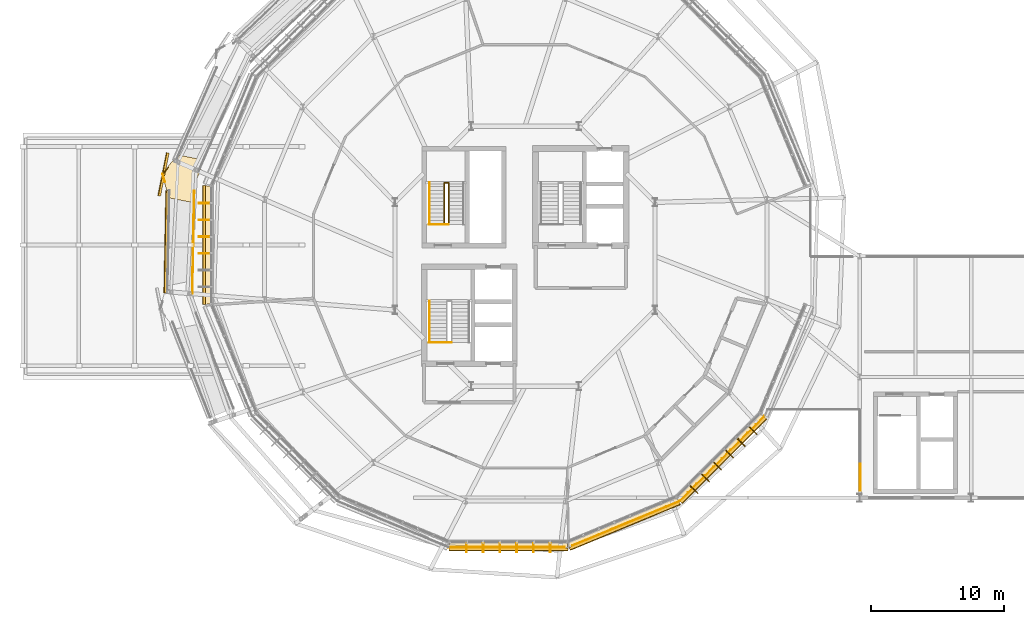
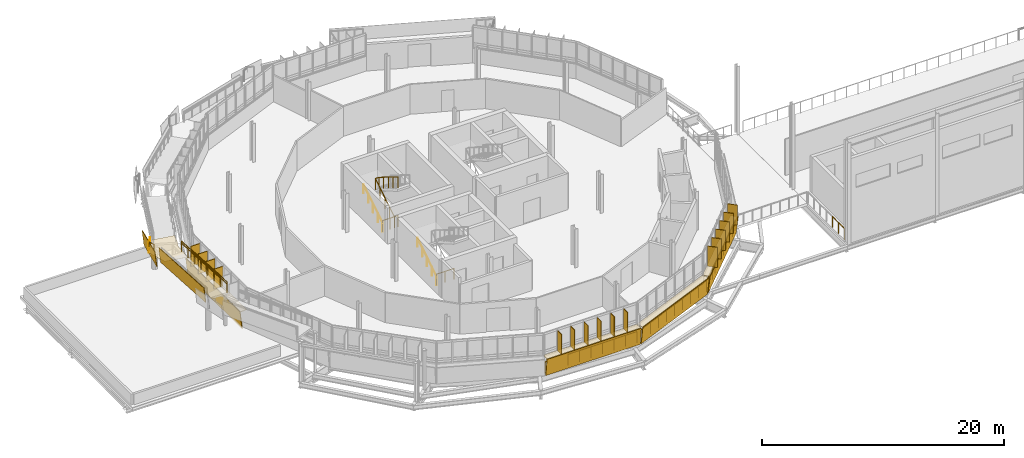
# One storey, part 55 of 61: 23 railings, 16 shading devices, 11 coverings.
"""IFC4 building model written with IfcOpenShell, lengths in metres."""

from ifc_helpers import new_model, si_unit, derived_unit, direction, frame, origin, origin_2d, place, context, subcontext, project, spatial, polyline, rectangle, circle, outline, extrude, material, layer, layer_set, type_object, element, save


model = new_model("IFC4")

# Units and contexts
model_context = context("Model", 3, precision=1e-05, world=origin(), true_north=direction((0.0, 1.0)))
body_context = subcontext(model_context, "Body", "Model", "MODEL_VIEW")
ifc_project = project(units=[si_unit("LENGTHUNIT", "METRE"), si_unit("AREAUNIT", "SQUARE_METRE"), si_unit("VOLUMEUNIT", "CUBIC_METRE"), si_unit("PLANEANGLEUNIT", "RADIAN"), si_unit("MASSUNIT", "GRAM", prefix="KILO"), derived_unit("THERMALTRANSMITTANCEUNIT", [(si_unit("MASSUNIT", "GRAM", prefix="KILO"), 1), (si_unit("TIMEUNIT", "SECOND"), -3), (si_unit("THERMODYNAMICTEMPERATUREUNIT", "KELVIN"), -1)])], contexts=[model_context])

# Site, building, storey
site_placement = place(None, origin())
site = spatial("IfcSite", under=ifc_project, at=site_placement, CompositionType="ELEMENT")
building_placement = place(site_placement, origin())
building = spatial("IfcBuilding", under=site, at=building_placement, Name="Makaiwela Harbour Ferry Terminal", CompositionType="ELEMENT")
storey_placement = place(building_placement, frame((0.0, 0.0, 13.800048828125)))
storey = spatial("IfcBuildingStorey", under=building, at=storey_placement, Name="L03", CompositionType="ELEMENT", Elevation=13.800048828125)

# Coverings
ifc_material_1 = material(Name="White glazed marine ceramic rainscreen tile", Category="masonry")
ifc_layer_1 = layer(ifc_material_1, 0.054931640625)
ifc_layer_set_1 = layer_set([ifc_layer_1], Name="White glazed marine ceramic rainscreen tile")
covering_type_1 = type_object("IfcCoveringType", Name="ENV-CLD-CERAMIC", PredefinedType="CLADDING", material=ifc_layer_set_1)
covering_1_placement = place(storey_placement, frame((13.748779296875, 72.935791015625, -0.219970703125), z_axis=(0.994019050726, 0.0, 0.109206807453), x_axis=(0.0, -1.0, 0.0)))
element("IfcCovering", 1, at=covering_1_placement, inside=storey, type_object=covering_type_1, Name="Ceramic Spandrel Facet CLD-0079", PredefinedType="CLADDING", context=body_context, shape_type="SweptSolid", body=[
    extrude(outline(polyline([(0.0, 0.0), (8.99169921875, 0.0), (8.99169921875, -1.7504596447165148), (0.0, -1.7504596447165148), (0.0, 0.0)])), origin(), (0.0, 0.0, -1.0), 0.054931640625),
])
covering_2_placement = place(storey_placement, frame((0.0, 0.0, 1.47998046875)))
element("IfcCovering", 2, at=covering_2_placement, inside=storey, type_object=covering_type_1, Name="Ceramic Ring Sill Cap CLD-0080", PredefinedType="CLADDING", context=body_context, shape_type="SweptSolid", body=[
    extrude(outline(polyline([(13.5576171875, 72.935791015625), (13.5576171875, 63.944091796875), (14.18798828125, 64.02197265625), (14.18798828125, 72.858154296875), (13.5576171875, 72.935791015625)])), origin(), (0.0, 0.0, 1.0), 0.054931640625),
])
covering_3_placement = place(storey_placement, frame((32.05419921875, 45.638671875, -0.219970703125), z_axis=(0.0, 0.99403418163, 0.109068995375), x_axis=(1.0, 0.0, 0.0)))
element("IfcCovering", 3, at=covering_3_placement, inside=storey, type_object=covering_type_1, Name="Ceramic Spandrel Facet CLD-0087", PredefinedType="CLADDING", context=body_context, shape_type="SweptSolid", body=[
    extrude(outline(polyline([(0.0, 0.0), (8.99169921875, 0.0), (8.99169921875, -1.7504329997209243), (0.0, -1.7504329997209243), (0.0, 0.0)])), origin(), (0.0, 0.0, -1.0), 0.054931640625),
])
covering_4_placement = place(storey_placement, frame((0.0, 0.0, 1.47998046875)))
element("IfcCovering", 4, at=covering_4_placement, inside=storey, type_object=covering_type_1, Name="Ceramic Ring Sill Cap CLD-0088", PredefinedType="CLADDING", context=body_context, shape_type="SweptSolid", body=[
    extrude(outline(polyline([(32.05419921875, 45.44775390625), (41.0458984375, 45.44775390625), (40.968017578125, 46.078125), (32.1318359375, 46.078125), (32.05419921875, 45.44775390625)])), origin(), (0.0, 0.0, 1.0), 0.054931640625),
])
covering_5_placement = place(storey_placement, frame((41.1220703125, 45.65380859375, -0.219970703125), z_axis=(-0.380405778211, 0.918363703026, 0.109085071701), x_axis=(0.92387704875, 0.38268942864, 7.96688e-07)))
element("IfcCovering", 5, at=covering_5_placement, inside=storey, type_object=covering_type_1, Name="Ceramic Spandrel Facet CLD-0089", PredefinedType="CLADDING", context=body_context, shape_type="SweptSolid", body=[
    extrude(outline(polyline([(0.0, 0.0), (8.991568668948071, -5.551115123125783e-17), (8.991780345008102, -1.7504288995209478), (-0.00010730989636249906, -1.750443312735073), (0.0, 0.0)])), origin(), (0.0, 0.0, -1.0), 0.054931640625),
])
covering_6_placement = place(storey_placement, frame((0.0, 0.0, 1.47998046875)))
element("IfcCovering", 6, at=covering_6_placement, inside=storey, type_object=covering_type_1, Name="Ceramic Ring Sill Cap CLD-0090", PredefinedType="CLADDING", context=body_context, shape_type="SweptSolid", body=[
    extrude(outline(polyline([(41.195068359375, 45.477294921875), (49.50244140625, 48.91845703125), (49.189208984375, 49.470947265625), (41.02587890625, 46.089599609375), (41.195068359375, 45.477294921875)])), origin(), (0.0, 0.0, 1.0), 0.054931640625),
])
covering_7_placement = place(storey_placement, frame((49.493896484375, 49.137939453125, -0.219970703125), z_axis=(-0.702887667914, 0.702887667914, 0.109077278057), x_axis=(0.707106781187, 0.707106781187, 0.0)))
element("IfcCovering", 7, at=covering_7_placement, inside=storey, type_object=covering_type_1, Name="Ceramic Spandrel Facet CLD-0091", PredefinedType="CLADDING", context=body_context, shape_type="SweptSolid", body=[
    extrude(outline(polyline([(0.0, 0.0), (8.991788038301396, 0.0), (8.991788038301396, -1.7504346001346647), (0.0, -1.7504346001346647), (0.0, 0.0)])), origin(), (0.0, 0.0, -1.0), 0.054931640625),
])
covering_8_placement = place(storey_placement, frame((0.0, 0.0, 1.47998046875)))
element("IfcCovering", 8, at=covering_8_placement, inside=storey, type_object=covering_type_1, Name="Ceramic Ring Sill Cap CLD-0092", PredefinedType="CLADDING", context=body_context, shape_type="SweptSolid", body=[
    extrude(outline(polyline([(49.62890625, 49.0029296875), (55.987060546875, 55.361083984375), (55.486328125, 55.751708984375), (49.23828125, 49.503662109375), (49.62890625, 49.0029296875)])), origin(), (0.0, 0.0, 1.0), 0.054931640625),
])
covering_9_placement = place(storey_placement, frame((10.991943359375, 75.35986328125, 2.260009765625), z_axis=(0.974848077551, -0.193910717395, 0.109862911737), x_axis=(-0.195091656081, -0.98078501504, 0.0)))
element("IfcCovering", 9, at=covering_9_placement, inside=storey, type_object=covering_type_1, Name="Coiled Ramp Ceramic Fascia CLD-R0057", PredefinedType="CLADDING", context=body_context, shape_type="SweptSolid", body=[
    extrude(outline(polyline([(0.0, 0.0), (3.299981357781899, 1.3877787807814457e-17), (3.300045243484791, -1.52927662591745), (6.388570289143913e-05, -1.52927662591745), (0.0, 0.0)])), origin(), (0.0, 0.0, -1.0), 0.054931640625),
])
covering_10_placement = place(storey_placement, frame((10.947021484375, 72.5537109375, 2.260009765625), z_axis=(0.993893996439, -0.009501727797, 0.109929254579), x_axis=(-0.018808217481, -0.996293753098, 0.083934548866)))
element("IfcCovering", 10, at=covering_10_placement, inside=storey, type_object=covering_type_1, Name="Coiled Ramp Ceramic Fascia CLD-R0058", PredefinedType="CLADDING", context=body_context, shape_type="SweptSolid", body=[
    extrude(outline(polyline([(0.0, 0.0), (7.742806929524783, 0.0), (7.870390802643789, -1.5239709202406275), (0.12757928126903598, -1.5239443762205143), (0.0, 0.0)])), origin(), (0.0, 0.0, -1.0), 0.054931640625),
])

# Shading devices
ifc_material_2 = material(Name="Marine anodised aluminium 6063-T6", Category="aluminium")
ifc_layer_2 = layer(ifc_material_2, 0.054931640625)
ifc_layer_set_2 = layer_set([ifc_layer_2], Name="Marine anodised aluminium 6063-T6")
shading_device_type_1 = type_object("IfcShadingDeviceType", Name="ENV-FIN-650", PredefinedType="USERDEFINED", material=ifc_layer_set_2)
for number, where, z_axis, x_axis, name in (
    (11, (33.394287109375, 45.64013671875, 1.603515625), (0.0, 0.0, 1.0), (0.0, -1.0, 0.0), "Vertical Solar Fin SFN-0096"),
    (12, (34.656494140625, 45.64013671875, 1.603515625), (0.0, 0.0, 1.0), (0.0, -1.0, 0.0), "Vertical Solar Fin SFN-0097"),
    (13, (35.918701171875, 45.64013671875, 1.603515625), (0.0, 0.0, 1.0), (0.0, -1.0, 0.0), "Vertical Solar Fin SFN-0098"),
    (14, (37.18115234375, 45.64013671875, 1.603515625), (0.0, 0.0, 1.0), (0.0, -1.0, 0.0), "Vertical Solar Fin SFN-0099"),
    (15, (38.443603515625, 45.64013671875, 1.603515625), (0.0, 0.0, 1.0), (0.0, -1.0, 0.0), "Vertical Solar Fin SFN-0100"),
    (16, (39.705810546875, 45.64013671875, 1.603515625), (0.0, 0.0, 1.0), (0.0, -1.0, 0.0), "Vertical Solar Fin SFN-0101"),
):
    element("IfcShadingDevice", number, at=place(storey_placement, frame(where, z_axis=z_axis, x_axis=x_axis)), inside=storey, type_object=shading_device_type_1, Name=name, ObjectType="SOLAR FIN", PredefinedType="USERDEFINED", context=body_context, shape_type="SweptSolid", body=[
        extrude(rectangle(XDim=0.64990234375, YDim=0.054931640625, at=origin_2d()), origin(), (0.0, 0.0, 1.0), 2.02001953125),
    ])
ifc_material_3 = material(Name="Thermally modified Accoya timber and anodised aluminium", Category="wood")
ifc_layer_3 = layer(ifc_material_3, 0.06005859375)
ifc_layer_set_3 = layer_set([ifc_layer_3], Name="Thermally modified Accoya timber and anodised aluminium")
shading_device_type_2 = type_object("IfcShadingDeviceType", Name="ENV-FIN-850", PredefinedType="USERDEFINED", material=ifc_layer_set_3)
for number, where, z_axis, x_axis, name in (
    (17, (13.650146484375, 71.595703125, 1.603515625), (0.0, 0.0, 1.0), (-1.0, 0.0, 0.0), "Vertical Solar Fin SFN-0084"),
    (18, (13.650146484375, 70.33349609375, 1.603515625), (0.0, 0.0, 1.0), (-1.0, 0.0, 0.0), "Vertical Solar Fin SFN-0085"),
    (19, (13.650146484375, 69.0712890625, 1.603515625), (0.0, 0.0, 1.0), (-1.0, 0.0, 0.0), "Vertical Solar Fin SFN-0086"),
    (20, (13.650146484375, 67.808837890625, 1.603515625), (0.0, 0.0, 1.0), (-1.0, 0.0, 0.0), "Vertical Solar Fin SFN-0087"),
    (21, (50.51123046875, 50.015869140625, 1.603515625), (0.0, 0.0, 1.0), (0.707106781187, -0.707106781187, 0.0), "Vertical Solar Fin SFN-0102"),
    (22, (51.40380859375, 50.908447265625, 1.603515625), (0.0, 0.0, 1.0), (0.707106781187, -0.707106781187, 0.0), "Vertical Solar Fin SFN-0103"),
    (23, (52.29638671875, 51.801025390625, 1.603515625), (0.0, 0.0, 1.0), (0.707106781187, -0.707106781187, 0.0), "Vertical Solar Fin SFN-0104"),
    (24, (53.18896484375, 52.693603515625, 1.603515625), (0.0, 0.0, 1.0), (0.707106781187, -0.707106781187, 0.0), "Vertical Solar Fin SFN-0105"),
    (25, (54.08154296875, 53.586181640625, 1.603515625), (0.0, 0.0, 1.0), (0.707106781187, -0.707106781187, 0.0), "Vertical Solar Fin SFN-0106"),
    (26, (54.97412109375, 54.478759765625, 1.603515625), (0.0, 0.0, 1.0), (0.707106781187, -0.707106781187, 0.0), "Vertical Solar Fin SFN-0107"),
):
    element("IfcShadingDevice", number, at=place(storey_placement, frame(where, z_axis=z_axis, x_axis=x_axis)), inside=storey, type_object=shading_device_type_2, Name=name, ObjectType="SOLAR FIN", PredefinedType="USERDEFINED", context=body_context, shape_type="SweptSolid", body=[
        extrude(rectangle(XDim=0.85009765625, YDim=0.06005859375, at=origin_2d()), origin(), (0.0, 0.0, 1.0), 2.02001953125),
    ])

# Covering
ifc_material_4 = material(Name="Honed coral-aggregate epoxy terrazzo flooring", Category="concrete")
ifc_layer_4 = layer(ifc_material_4, 0.02490234375)
ifc_layer_set_4 = layer_set([ifc_layer_4], Name="Honed coral-aggregate epoxy terrazzo flooring")
covering_type_2 = type_object("IfcCoveringType", Name="INT-COV-FLR", PredefinedType="FLOORING", material=ifc_layer_set_4)
covering_11_placement = place(storey_placement, frame((0.0, 0.0, 2.599853515625)))
element("IfcCovering", 27, at=covering_11_placement, inside=storey, type_object=covering_type_2, Name="Ramp Landing Terrazzo RMP-COIL-L03-L4", PredefinedType="FLOORING", context=body_context, shape_type="SweptSolid", body=[
    extrude(outline(polyline([(13.01904296875, 72.290283203125), (13.01904296875, 73.27392578125), (13.01904296875, 73.274169921875), (13.01904296875, 73.2744140625), (13.019287109375, 73.2744140625), (13.019287109375, 73.274658203125), (13.395751953125, 74.18359375), (13.529296875, 74.85498046875), (11.626708984375, 75.233642578125), (10.451416015625, 73.784912109375), (10.98291015625, 71.9970703125), (12.885498046875, 71.618408203125), (13.01904296875, 72.290283203125)])), origin(), (0.0, 0.0, 1.0), 0.025146484375),
])

# Railings
ifc_material_5 = material(Name="Marine grade 316L brushed stainless steel", Category="steel")
railing_type_1 = type_object("IfcRailingType", Name="INT-RL-GRD110", PredefinedType="GUARDRAIL", material=ifc_material_5)
railing_1_placement = place(storey_placement, frame((30.570068359375, 61.10009765625, 0.0)))
element("IfcRailing", 28, at=railing_1_placement, inside=storey, type_object=railing_type_1, Name="Stair top well guardrail RL-0030", PredefinedType="GUARDRAIL", context=body_context, shape_type="SweptSolid", body=[
    extrude(circle(Radius=0.02392578125, at=origin_2d()), frame((0.0, 0.0, 1.09619140625), z_axis=(1.0, 0.0, 0.0), x_axis=(0.0, 1.0, 0.0)), (0.0, 0.0, 1.0), 1.696044921875),
    extrude(circle(Radius=0.02099609375, at=origin_2d()), origin(), (0.0, 0.0, 1.0), 1.072021484375),
    extrude(circle(Radius=0.02099609375, at=origin_2d()), frame((0.84814453125, 0.0, 0.0)), (0.0, 0.0, 1.0), 1.072021484375),
    extrude(circle(Radius=0.02099609375, at=origin_2d()), frame((1.696044921875, 0.0, 0.0)), (0.0, 0.0, 1.0), 1.072021484375),
])
railing_2_placement = place(storey_placement, frame((30.570068359375, 70.0, 0.0)))
element("IfcRailing", 29, at=railing_2_placement, inside=storey, type_object=railing_type_1, Name="Stair top well guardrail RL-0050", PredefinedType="GUARDRAIL", context=body_context, shape_type="SweptSolid", body=[
    extrude(circle(Radius=0.02392578125, at=origin_2d()), frame((0.0, 0.0, 1.09619140625), z_axis=(1.0, 0.0, 0.0), x_axis=(0.0, 1.0, 0.0)), (0.0, 0.0, 1.0), 1.47998046875),
    extrude(circle(Radius=0.02099609375, at=origin_2d()), origin(), (0.0, 0.0, 1.0), 1.072021484375),
    extrude(circle(Radius=0.02099609375, at=origin_2d()), frame((0.739990234375, 0.0, 0.0)), (0.0, 0.0, 1.0), 1.072021484375),
    extrude(circle(Radius=0.02099609375, at=origin_2d()), frame((1.47998046875, 0.0, 0.0)), (0.0, 0.0, 1.0), 1.072021484375),
])
railing_3_placement = place(storey_placement, frame((31.7099609375, 70.0, 0.0)))
element("IfcRailing", 30, at=railing_3_placement, inside=storey, type_object=railing_type_1, Name="Stair well guardrail RL-0053", PredefinedType="GUARDRAIL", context=body_context, shape_type="SweptSolid", body=[
    extrude(circle(Radius=0.02392578125, at=origin_2d()), frame((0.0, 0.0, 1.09619140625), z_axis=(0.0, 0.849144259976, 0.528160984692), x_axis=(-1.0, 0.0, 0.0)), (0.0, 0.0, 1.0), 3.69189453125),
    extrude(circle(Radius=0.02392578125, at=origin_2d()), frame((0.0, 3.135009765625, 3.0458984375), z_axis=(1.0, 0.0, 0.0), x_axis=(0.0, 1.0, 0.0)), (0.0, 0.0, 1.0), 0.340087890625),
    extrude(circle(Radius=0.02392578125, at=origin_2d()), frame((0.340087890625, 3.135009765625, 3.0458984375), z_axis=(0.0, -0.849144259976, 0.528160984692), x_axis=(1.0, 0.0, 0.0)), (0.0, 0.0, 1.0), 3.69189453125),
    extrude(circle(Radius=0.02099609375, at=origin_2d()), origin(), (0.0, 0.0, 1.0), 1.072021484375),
    extrude(circle(Radius=0.02099609375, at=origin_2d()), frame((0.0, 0.78369140625, 0.487548828125)), (0.0, 0.0, 1.0), 1.072021484375),
    extrude(circle(Radius=0.02099609375, at=origin_2d()), frame((0.0, 1.5673828125, 0.97509765625)), (0.0, 0.0, 1.0), 1.072021484375),
    extrude(circle(Radius=0.02099609375, at=origin_2d()), frame((0.0, 2.351318359375, 1.46240234375)), (0.0, 0.0, 1.0), 1.072021484375),
    extrude(circle(Radius=0.02099609375, at=origin_2d()), frame((0.0, 3.135009765625, 1.949951171875)), (0.0, 0.0, 1.0), 1.072021484375),
    extrude(circle(Radius=0.02099609375, at=origin_2d()), frame((0.340087890625, 3.135009765625, 1.949951171875)), (0.0, 0.0, 1.0), 1.072021484375),
    extrude(circle(Radius=0.02099609375, at=origin_2d()), frame((0.340087890625, 2.351318359375, 2.4375)), (0.0, 0.0, 1.0), 1.072021484375),
    extrude(circle(Radius=0.02099609375, at=origin_2d()), frame((0.340087890625, 1.5673828125, 2.9248046875)), (0.0, 0.0, 1.0), 1.072021484375),
    extrude(circle(Radius=0.02099609375, at=origin_2d()), frame((0.340087890625, 0.78369140625, 3.412353515625)), (0.0, 0.0, 1.0), 1.072021484375),
    extrude(circle(Radius=0.02099609375, at=origin_2d()), frame((0.340087890625, 0.0, 3.89990234375)), (0.0, 0.0, 1.0), 1.072021484375),
])
railing_4_placement = place(storey_placement, frame((12.8837890625, 72.51708984375, 2.599853515625)))
element("IfcRailing", 31, at=railing_4_placement, inside=storey, type_object=railing_type_1, Name="Ramp guardrail RL-0209", PredefinedType="GUARDRAIL", context=body_context, shape_type="SweptSolid", body=[
    extrude(circle(Radius=0.02392578125, at=origin_2d()), frame((0.0, 0.0, 1.09619140625), z_axis=(-0.018824114068, -0.996290673717, 0.083967530592), x_axis=(0.999821552402, -0.018890827192, 0.0)), (0.0, 0.0, 1.0), 7.742919921875),
    extrude(circle(Radius=0.02099609375, at=origin_2d()), origin(), (0.0, 0.0, 1.0), 1.072021484375),
    extrude(circle(Radius=0.02099609375, at=origin_2d()), frame((-0.020751953125, -1.10205078125, 0.0927734375)), (0.0, 0.0, 1.0), 1.072021484375),
    extrude(circle(Radius=0.02099609375, at=origin_2d()), frame((-0.041748046875, -2.2041015625, 0.185791015625)), (0.0, 0.0, 1.0), 1.072021484375),
    extrude(circle(Radius=0.02099609375, at=origin_2d()), frame((-0.0625, -3.30615234375, 0.278564453125)), (0.0, 0.0, 1.0), 1.072021484375),
    extrude(circle(Radius=0.02099609375, at=origin_2d()), frame((-0.083251953125, -4.407958984375, 0.37158203125)), (0.0, 0.0, 1.0), 1.072021484375),
    extrude(circle(Radius=0.02099609375, at=origin_2d()), frame((-0.10400390625, -5.510009765625, 0.46435546875)), (0.0, 0.0, 1.0), 1.072021484375),
    extrude(circle(Radius=0.02099609375, at=origin_2d()), frame((-0.125, -6.612060546875, 0.557373046875)), (0.0, 0.0, 1.0), 1.072021484375),
    extrude(circle(Radius=0.02099609375, at=origin_2d()), frame((-0.145751953125, -7.714111328125, 0.650146484375)), (0.0, 0.0, 1.0), 1.072021484375),
])
railing_5_placement = place(storey_placement, frame((63.044921875, 49.94775390625, 0.0)))
element("IfcRailing", 32, at=railing_5_placement, inside=storey, type_object=railing_type_1, Name="Deck edge guardrail RL-0714", PredefinedType="GUARDRAIL", context=body_context, shape_type="SweptSolid", body=[
    extrude(circle(Radius=0.02392578125, at=origin_2d()), frame((0.0, 0.0, 1.09619140625), z_axis=(0.0, 1.0, 0.0), x_axis=(-1.0, 0.0, 0.0)), (0.0, 0.0, 1.0), 2.0107421875),
    extrude(circle(Radius=0.02099609375, at=origin_2d()), origin(), (0.0, 0.0, 1.0), 1.072021484375),
    extrude(circle(Radius=0.02099609375, at=origin_2d()), frame((0.0, 1.00537109375, 0.0)), (0.0, 0.0, 1.0), 1.072021484375),
    extrude(circle(Radius=0.02099609375, at=origin_2d()), frame((0.0, 2.0107421875, 0.0)), (0.0, 0.0, 1.0), 1.072021484375),
])
railing_6_placement = place(storey_placement, frame((55.843505859375, 55.548583984375, 0.0)))
element("IfcRailing", 33, at=railing_6_placement, inside=storey, type_object=railing_type_1, Name="Deck edge guardrail RL-0722", PredefinedType="GUARDRAIL", context=body_context, shape_type="SweptSolid", body=[
    extrude(circle(Radius=0.02392578125, at=origin_2d()), frame((0.0, 0.0, 1.09619140625), z_axis=(-0.707106781187, -0.707106781187, 0.0), x_axis=(0.707106781187, -0.707106781187, 0.0)), (0.0, 0.0, 1.0), 1.81103515625),
    extrude(circle(Radius=0.02099609375, at=origin_2d()), origin(), (0.0, 0.0, 1.0), 1.072021484375),
    extrude(circle(Radius=0.02099609375, at=origin_2d()), frame((-0.64013671875, -0.64013671875, 0.0)), (0.0, 0.0, 1.0), 1.072021484375),
    extrude(circle(Radius=0.02099609375, at=origin_2d()), frame((-1.280517578125, -1.280517578125, 0.0)), (0.0, 0.0, 1.0), 1.072021484375),
])
railing_7_placement = place(storey_placement, frame((54.56298828125, 54.26806640625, 0.0)))
element("IfcRailing", 34, at=railing_7_placement, inside=storey, type_object=railing_type_1, Name="Deck edge guardrail RL-0723", PredefinedType="GUARDRAIL", context=body_context, shape_type="SweptSolid", body=[
    extrude(circle(Radius=0.02392578125, at=origin_2d()), frame((0.0, 0.0, 1.09619140625), z_axis=(-0.707106781187, -0.707106781187, 0.0), x_axis=(0.707106781187, -0.707106781187, 0.0)), (0.0, 0.0, 1.0), 1.810546875),
    extrude(circle(Radius=0.02099609375, at=origin_2d()), origin(), (0.0, 0.0, 1.0), 1.072021484375),
    extrude(circle(Radius=0.02099609375, at=origin_2d()), frame((-0.64013671875, -0.64013671875, 0.0)), (0.0, 0.0, 1.0), 1.072021484375),
    extrude(circle(Radius=0.02099609375, at=origin_2d()), frame((-1.2802734375, -1.2802734375, 0.0)), (0.0, 0.0, 1.0), 1.072021484375),
])
railing_8_placement = place(storey_placement, frame((53.28271484375, 52.98779296875, 0.0)))
element("IfcRailing", 35, at=railing_8_placement, inside=storey, type_object=railing_type_1, Name="Deck edge guardrail RL-0724", PredefinedType="GUARDRAIL", context=body_context, shape_type="SweptSolid", body=[
    extrude(circle(Radius=0.02392578125, at=origin_2d()), frame((0.0, 0.0, 1.09619140625), z_axis=(-0.707106781187, -0.707106781187, 0.0), x_axis=(0.707106781187, -0.707106781187, 0.0)), (0.0, 0.0, 1.0), 1.81103515625),
    extrude(circle(Radius=0.02099609375, at=origin_2d()), origin(), (0.0, 0.0, 1.0), 1.072021484375),
    extrude(circle(Radius=0.02099609375, at=origin_2d()), frame((-0.64013671875, -0.64013671875, 0.0)), (0.0, 0.0, 1.0), 1.072021484375),
    extrude(circle(Radius=0.02099609375, at=origin_2d()), frame((-1.280517578125, -1.280517578125, 0.0)), (0.0, 0.0, 1.0), 1.072021484375),
])
railing_9_placement = place(storey_placement, frame((52.002197265625, 51.707275390625, 0.0)))
element("IfcRailing", 36, at=railing_9_placement, inside=storey, type_object=railing_type_1, Name="Deck edge guardrail RL-0725", PredefinedType="GUARDRAIL", context=body_context, shape_type="SweptSolid", body=[
    extrude(circle(Radius=0.02392578125, at=origin_2d()), frame((0.0, 0.0, 1.09619140625), z_axis=(-0.707106781187, -0.707106781187, 0.0), x_axis=(0.707106781187, -0.707106781187, 0.0)), (0.0, 0.0, 1.0), 1.810546875),
    extrude(circle(Radius=0.02099609375, at=origin_2d()), origin(), (0.0, 0.0, 1.0), 1.072021484375),
    extrude(circle(Radius=0.02099609375, at=origin_2d()), frame((-0.64013671875, -0.64013671875, 0.0)), (0.0, 0.0, 1.0), 1.072021484375),
    extrude(circle(Radius=0.02099609375, at=origin_2d()), frame((-1.2802734375, -1.2802734375, 0.0)), (0.0, 0.0, 1.0), 1.072021484375),
])
railing_10_placement = place(storey_placement, frame((50.721923828125, 50.427001953125, 0.0)))
element("IfcRailing", 37, at=railing_10_placement, inside=storey, type_object=railing_type_1, Name="Deck edge guardrail RL-0726", PredefinedType="GUARDRAIL", context=body_context, shape_type="SweptSolid", body=[
    extrude(circle(Radius=0.02392578125, at=origin_2d()), frame((0.0, 0.0, 1.09619140625), z_axis=(-0.707106781187, -0.707106781187, 0.0), x_axis=(0.707106781187, -0.707106781187, 0.0)), (0.0, 0.0, 1.0), 1.81103515625),
    extrude(circle(Radius=0.02099609375, at=origin_2d()), origin(), (0.0, 0.0, 1.0), 1.072021484375),
    extrude(circle(Radius=0.02099609375, at=origin_2d()), frame((-0.64013671875, -0.64013671875, 0.0)), (0.0, 0.0, 1.0), 1.072021484375),
    extrude(circle(Radius=0.02099609375, at=origin_2d()), frame((-1.280517578125, -1.280517578125, 0.0)), (0.0, 0.0, 1.0), 1.072021484375),
])
railing_11_placement = place(storey_placement, frame((49.44140625, 49.146484375, 0.0)))
element("IfcRailing", 38, at=railing_11_placement, inside=storey, type_object=railing_type_1, Name="Deck edge guardrail RL-0727", PredefinedType="GUARDRAIL", context=body_context, shape_type="SweptSolid", body=[
    extrude(circle(Radius=0.02392578125, at=origin_2d()), frame((0.0, 0.0, 1.09619140625), z_axis=(-0.923884744615, -0.382670848991, 0.0), x_axis=(0.382670848991, -0.923884744615, 0.0)), (0.0, 0.0, 1.0), 2.18505859375),
    extrude(circle(Radius=0.02099609375, at=origin_2d()), origin(), (0.0, 0.0, 1.0), 1.072021484375),
    extrude(circle(Radius=0.02099609375, at=origin_2d()), frame((-1.00927734375, -0.41796875, 0.0)), (0.0, 0.0, 1.0), 1.072021484375),
    extrude(circle(Radius=0.02099609375, at=origin_2d()), frame((-2.018798828125, -0.836181640625, 0.0)), (0.0, 0.0, 1.0), 1.072021484375),
])
railing_12_placement = place(storey_placement, frame((47.422607421875, 48.310302734375, 0.0)))
element("IfcRailing", 39, at=railing_12_placement, inside=storey, type_object=railing_type_1, Name="Deck edge guardrail RL-0728", PredefinedType="GUARDRAIL", context=body_context, shape_type="SweptSolid", body=[
    extrude(circle(Radius=0.02392578125, at=origin_2d()), frame((0.0, 0.0, 1.09619140625), z_axis=(-0.923861606529, -0.382726706647, 0.0), x_axis=(0.382726706647, -0.923861606529, 0.0)), (0.0, 0.0, 1.0), 2.185546875),
    extrude(circle(Radius=0.02099609375, at=origin_2d()), origin(), (0.0, 0.0, 1.0), 1.072021484375),
    extrude(circle(Radius=0.02099609375, at=origin_2d()), frame((-1.009521484375, -0.418212890625, 0.0)), (0.0, 0.0, 1.0), 1.072021484375),
    extrude(circle(Radius=0.02099609375, at=origin_2d()), frame((-2.01904296875, -0.83642578125, 0.0)), (0.0, 0.0, 1.0), 1.072021484375),
])
railing_13_placement = place(storey_placement, frame((45.403564453125, 47.473876953125, 0.0)))
element("IfcRailing", 40, at=railing_13_placement, inside=storey, type_object=railing_type_1, Name="Deck edge guardrail RL-0729", PredefinedType="GUARDRAIL", context=body_context, shape_type="SweptSolid", body=[
    extrude(circle(Radius=0.02392578125, at=origin_2d()), frame((0.0, 0.0, 1.09619140625), z_axis=(-0.923884744615, -0.382670848991, 0.0), x_axis=(0.382670848991, -0.923884744615, 0.0)), (0.0, 0.0, 1.0), 2.18505859375),
    extrude(circle(Radius=0.02099609375, at=origin_2d()), origin(), (0.0, 0.0, 1.0), 1.072021484375),
    extrude(circle(Radius=0.02099609375, at=origin_2d()), frame((-1.00927734375, -0.41796875, 0.0)), (0.0, 0.0, 1.0), 1.072021484375),
    extrude(circle(Radius=0.02099609375, at=origin_2d()), frame((-2.018798828125, -0.836181640625, 0.0)), (0.0, 0.0, 1.0), 1.072021484375),
])
railing_14_placement = place(storey_placement, frame((43.384765625, 46.6376953125, 0.0)))
element("IfcRailing", 41, at=railing_14_placement, inside=storey, type_object=railing_type_1, Name="Deck edge guardrail RL-0730", PredefinedType="GUARDRAIL", context=body_context, shape_type="SweptSolid", body=[
    extrude(circle(Radius=0.02392578125, at=origin_2d()), frame((0.0, 0.0, 1.09619140625), z_axis=(-0.923901103298, -0.382631351728, 0.0), x_axis=(0.382631351728, -0.923901103298, 0.0)), (0.0, 0.0, 1.0), 2.185302734375),
    extrude(circle(Radius=0.02099609375, at=origin_2d()), origin(), (0.0, 0.0, 1.0), 1.072021484375),
    extrude(circle(Radius=0.02099609375, at=origin_2d()), frame((-1.009521484375, -0.41796875, 0.0)), (0.0, 0.0, 1.0), 1.072021484375),
    extrude(circle(Radius=0.02099609375, at=origin_2d()), frame((-2.01904296875, -0.836181640625, 0.0)), (0.0, 0.0, 1.0), 1.072021484375),
])
for number, where, name in (
    (42, (40.787841796875, 45.681640625, 0.0), "Deck edge guardrail RL-0731"),
    (43, (38.5966796875, 45.681640625, 0.0), "Deck edge guardrail RL-0732"),
    (44, (36.405517578125, 45.681640625, 0.0), "Deck edge guardrail RL-0733"),
    (45, (34.21435546875, 45.681640625, 0.0), "Deck edge guardrail RL-0734"),
):
    element("IfcRailing", number, at=place(storey_placement, frame(where)), inside=storey, type_object=railing_type_1, Name=name, PredefinedType="GUARDRAIL", context=body_context, shape_type="SweptSolid", body=[
        extrude(circle(Radius=0.02392578125, at=origin_2d()), frame((0.0, 0.0, 1.09619140625), z_axis=(-1.0, 0.0, 0.0), x_axis=(0.0, -1.0, 0.0)), (0.0, 0.0, 1.0), 2.191162109375),
        extrude(circle(Radius=0.02099609375, at=origin_2d()), origin(), (0.0, 0.0, 1.0), 1.072021484375),
        extrude(circle(Radius=0.02099609375, at=origin_2d()), frame((-1.095703125, 0.0, 0.0)), (0.0, 0.0, 1.0), 1.072021484375),
        extrude(circle(Radius=0.02099609375, at=origin_2d()), frame((-2.191162109375, 0.0, 0.0)), (0.0, 0.0, 1.0), 1.072021484375),
    ])
railing_15_placement = place(storey_placement, frame((10.501220703125, 73.775146484375, 2.599853515625)))
element("IfcRailing", 46, at=railing_15_placement, inside=storey, type_object=railing_type_1, Name="Deck edge guardrail RL-0753", PredefinedType="GUARDRAIL", context=body_context, shape_type="SweptSolid", body=[
    extrude(circle(Radius=0.02392578125, at=origin_2d()), frame((0.0, 0.0, 1.09619140625), z_axis=(0.629950285384, 0.776635460139, 0.0), x_axis=(-0.776635460139, 0.629950285384, 0.0)), (0.0, 0.0, 1.0), 0.64404296875),
    extrude(circle(Radius=0.02099609375, at=origin_2d()), origin(), (0.0, 0.0, 1.0), 1.072021484375),
    extrude(circle(Radius=0.02099609375, at=origin_2d()), frame((0.40576171875, 0.500244140625, 0.0)), (0.0, 0.0, 1.0), 1.072021484375),
])
railing_16_placement = place(storey_placement, frame((10.67041015625, 73.2060546875, 2.599853515625)))
element("IfcRailing", 47, at=railing_16_placement, inside=storey, type_object=railing_type_1, Name="Deck edge guardrail RL-0754", PredefinedType="GUARDRAIL", context=body_context, shape_type="SweptSolid", body=[
    extrude(circle(Radius=0.02392578125, at=origin_2d()), frame((0.0, 0.0, 1.09619140625), z_axis=(-0.284970268083, 0.958536356279, 0.0), x_axis=(-0.958536356279, -0.284970268083, 0.0)), (0.0, 0.0, 1.0), 0.59375),
    extrude(circle(Radius=0.02099609375, at=origin_2d()), origin(), (0.0, 0.0, 1.0), 1.072021484375),
    extrude(circle(Radius=0.02099609375, at=origin_2d()), frame((-0.169189453125, 0.569091796875, 0.0)), (0.0, 0.0, 1.0), 1.072021484375),
])
railing_type_2 = type_object("IfcRailingType", Name="INT-RL-HND090", PredefinedType="HANDRAIL", material=ifc_material_5)
for number, where, name in (
    (48, (30.60009765625, 61.10009765625, 0.0), "Stair wall handrail RL-0035"),
    (49, (30.60009765625, 70.0, 0.0), "Stair wall handrail RL-0055"),
):
    element("IfcRailing", number, at=place(storey_placement, frame(where)), inside=storey, type_object=railing_type_2, Name=name, PredefinedType="HANDRAIL", context=body_context, shape_type="SweptSolid", body=[
        extrude(circle(Radius=0.02392578125, at=origin_2d()), frame((0.0, 0.0, 0.89111328125), z_axis=(0.0, 0.849144259976, 0.528160984692), x_axis=(-1.0, 0.0, 0.0)), (0.0, 0.0, 1.0), 3.69189453125),
        extrude(circle(Radius=0.02099609375, at=origin_2d()), origin(), (0.0, 0.0, 1.0), 0.866943359375),
        extrude(circle(Radius=0.02099609375, at=origin_2d()), frame((0.0, 0.78369140625, 0.487548828125)), (0.0, 0.0, 1.0), 0.866943359375),
        extrude(circle(Radius=0.02099609375, at=origin_2d()), frame((0.0, 1.5673828125, 0.97509765625)), (0.0, 0.0, 1.0), 0.866943359375),
        extrude(circle(Radius=0.02099609375, at=origin_2d()), frame((0.0, 2.351318359375, 1.46240234375)), (0.0, 0.0, 1.0), 0.866943359375),
        extrude(circle(Radius=0.02099609375, at=origin_2d()), frame((0.0, 3.135009765625, 1.949951171875)), (0.0, 0.0, 1.0), 0.866943359375),
    ])
railing_17_placement = place(storey_placement, frame((12.8837890625, 72.51708984375, 2.599853515625)))
element("IfcRailing", 50, at=railing_17_placement, inside=storey, type_object=railing_type_2, Name="Ramp handrail RL-0210", PredefinedType="HANDRAIL", context=body_context, shape_type="SweptSolid", body=[
    extrude(circle(Radius=0.02392578125, at=origin_2d()), frame((0.0, 0.0, 0.89111328125), z_axis=(-0.018824114068, -0.996290673717, 0.083967530592), x_axis=(0.999821552402, -0.018890827192, 0.0)), (0.0, 0.0, 1.0), 7.742919921875),
    extrude(circle(Radius=0.02099609375, at=origin_2d()), origin(), (0.0, 0.0, 1.0), 0.866943359375),
    extrude(circle(Radius=0.02099609375, at=origin_2d()), frame((-0.020751953125, -1.10205078125, 0.0927734375)), (0.0, 0.0, 1.0), 0.866943359375),
    extrude(circle(Radius=0.02099609375, at=origin_2d()), frame((-0.041748046875, -2.2041015625, 0.185791015625)), (0.0, 0.0, 1.0), 0.866943359375),
    extrude(circle(Radius=0.02099609375, at=origin_2d()), frame((-0.0625, -3.30615234375, 0.278564453125)), (0.0, 0.0, 1.0), 0.866943359375),
    extrude(circle(Radius=0.02099609375, at=origin_2d()), frame((-0.083251953125, -4.407958984375, 0.37158203125)), (0.0, 0.0, 1.0), 0.866943359375),
    extrude(circle(Radius=0.02099609375, at=origin_2d()), frame((-0.10400390625, -5.510009765625, 0.46435546875)), (0.0, 0.0, 1.0), 0.866943359375),
    extrude(circle(Radius=0.02099609375, at=origin_2d()), frame((-0.125, -6.612060546875, 0.557373046875)), (0.0, 0.0, 1.0), 0.866943359375),
    extrude(circle(Radius=0.02099609375, at=origin_2d()), frame((-0.145751953125, -7.714111328125, 0.650146484375)), (0.0, 0.0, 1.0), 0.866943359375),
])

save(model, "model.ifc")
